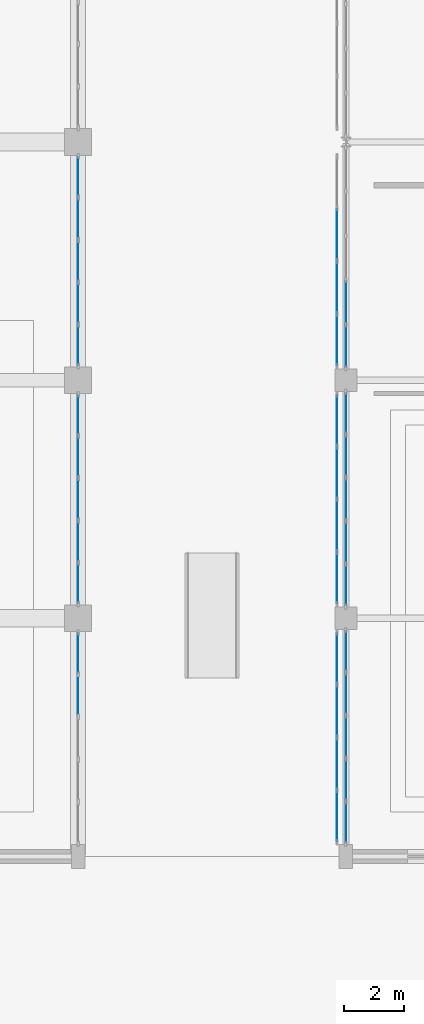
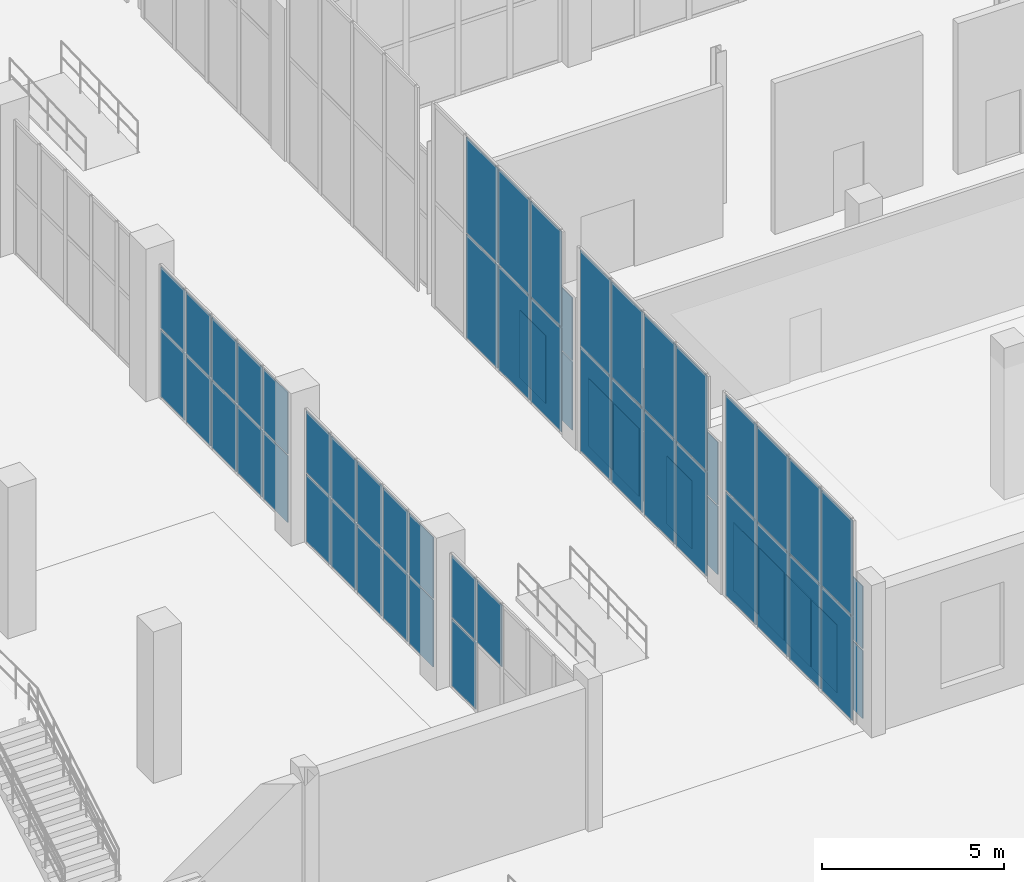
# One storey, part 66 of 103: 69 plates, 9 elements without a shape of their own.
"""IFC4 building model written with IfcOpenShell, lengths in metres."""

import ifcopenshell
import ifcopenshell.guid

model = None  # the IFC model being written
_history = None  # IfcOwnerHistory: only IFC2X3 demands one
_inside = {}  # id of a spatial element -> (the spatial element, [elements in it])
_under = {}  # id of a project, library or spatial element -> (it, [spatial elements below it])
_declared = {}  # id of a project -> (the project, [libraries it declares])
_typed = {}  # id of a type object -> (the type object, [elements of that type])
_made_of = {}  # id of a material, layer set ... -> (it, [elements and type objects made of it])


def new_model(schema):
    """Start an empty IFC model of exactly this schema.

    Asked for "IFC4X3", IfcOpenShell would pick the latest addendum, in which some entities
    have other attributes; the version numbers below select the first issue.
    IFC2X3 requires an IfcOwnerHistory on every rooted entity: one is made here for all.
    """
    global model, _history
    if schema == "IFC4X3":
        model = ifcopenshell.file(schema_version=(4, 3, 0, 0))
    else:
        model = ifcopenshell.file(schema=schema)
    _inside.clear()
    _under.clear()
    _declared.clear()
    _typed.clear()
    _made_of.clear()
    _history = None
    if model.schema == "IFC2X3":
        org = make("IfcOrganization", Name="unknown")
        user = make(
            "IfcPersonAndOrganization",
            ThePerson=make("IfcPerson", FamilyName="unknown"),
            TheOrganization=org,
        )
        app = make(
            "IfcApplication",
            ApplicationDeveloper=org,
            Version="unknown",
            ApplicationFullName="unknown",
            ApplicationIdentifier="unknown",
        )
        _history = make(
            "IfcOwnerHistory",
            OwningUser=user,
            OwningApplication=app,
            ChangeAction="ADDED",
            CreationDate=0,
        )
    return model


def make(cls, **values):
    """One entity of the class cls with the attributes given. An attribute that is None is left unset."""
    return model.create_entity(
        cls, **{name: value for name, value in values.items() if value is not None}
    )


def rooted(cls, **values):
    """An entity with a GlobalId (a new one), such as an element, a storey or a relation."""
    return make(cls, GlobalId=ifcopenshell.guid.new(), OwnerHistory=_history, **values)


def si_unit(unit_type, name, prefix=None):
    """IfcSIUnit, for example si_unit("LENGTHUNIT", "METRE", prefix="MILLI")."""
    return make("IfcSIUnit", UnitType=unit_type, Prefix=prefix, Name=name)


def assignment(units):
    """IfcUnitAssignment: the units of a project."""
    return None if units is None else make("IfcUnitAssignment", Units=units)


def point(xyz):
    """IfcCartesianPoint."""
    return None if xyz is None else make("IfcCartesianPoint", Coordinates=xyz)


def direction(xyz):
    """IfcDirection."""
    return None if xyz is None else make("IfcDirection", DirectionRatios=xyz)


def frame(location, z_axis=None, x_axis=None):
    """IfcAxis2Placement3D, a coordinate frame: its origin and axes. An axis left out is left unset."""
    return make(
        "IfcAxis2Placement3D",
        Location=point(location),
        Axis=direction(z_axis),
        RefDirection=direction(x_axis),
    )


def frame_2d(location, x_axis=None):
    """IfcAxis2Placement2D, a coordinate frame in the plane: its origin and x axis."""
    return make(
        "IfcAxis2Placement2D", Location=point(location), RefDirection=direction(x_axis)
    )


def origin():
    """The frame at (0, 0, 0) with its axes left unset."""
    return frame((0.0, 0.0, 0.0))


def origin_2d():
    """The frame at (0, 0) in the plane with its x axis left unset."""
    return frame_2d((0.0, 0.0))


def place(relative_to, where):
    """IfcLocalPlacement: puts the frame where relative to a parent placement (None: the world)."""
    return make(
        "IfcLocalPlacement", PlacementRelTo=relative_to, RelativePlacement=where
    )


def context(
    kind, dimensions, precision=None, world=None, true_north=None, identifier=None
):
    """IfcGeometricRepresentationContext, for example the 3D "Model" context."""
    return make(
        "IfcGeometricRepresentationContext",
        ContextIdentifier=identifier,
        ContextType=kind,
        CoordinateSpaceDimension=dimensions,
        Precision=precision,
        WorldCoordinateSystem=world,
        TrueNorth=true_north,
    )


def subcontext(parent, identifier, kind, view, scale=None):
    """IfcGeometricRepresentationSubContext, for example "Body" below "Model"."""
    return make(
        "IfcGeometricRepresentationSubContext",
        ContextIdentifier=identifier,
        ContextType=kind,
        ParentContext=parent,
        TargetScale=scale,
        TargetView=view,
    )


def project(units=None, contexts=None):
    """IfcProject with its units and contexts."""
    return rooted(
        "IfcProject",
        Name="project",
        RepresentationContexts=contexts,
        UnitsInContext=assignment(units),
    )


def spatial(cls, under=None, at=None, **own):
    """A site, building, storey or space (cls), placed at a placement, below another one or the project."""
    s = rooted(cls, ObjectPlacement=at, **own)
    if under is not None:
        _under.setdefault(under.id(), (under, []))[1].append(s)
    return s


def profile(cls, at=None, kind="AREA", **sizes):
    """A parametric profile (cls). Its sizes go by their IFC names, for example OverallWidth=200.0."""
    return make(cls, ProfileType=kind, Position=at, **sizes)


def rectangle(**sizes):
    """IfcRectangleProfileDef."""
    return profile("IfcRectangleProfileDef", **sizes)


def extrude(swept, where, along, depth):
    """IfcExtrudedAreaSolid: the profile swept, set in the frame where, extruded along a direction by depth."""
    return make(
        "IfcExtrudedAreaSolid",
        SweptArea=swept,
        Position=where,
        ExtrudedDirection=direction(along),
        Depth=depth,
    )


def shape(context_of_items, identifier, shape_type, items):
    """IfcShapeRepresentation: the items that make up one representation, for example the "Body"."""
    return make(
        "IfcShapeRepresentation",
        ContextOfItems=context_of_items,
        RepresentationIdentifier=identifier,
        RepresentationType=shape_type,
        Items=items,
    )


def material(Name=None, Category=None):
    """IfcMaterial."""
    return make("IfcMaterial", Name=Name, Category=Category)


def layer(
    of_material, thickness, ventilated=None, Name=None, Category=None, Priority=None
):
    """IfcMaterialLayer: one layer of a wall or slab, of a material (None: an air gap)."""
    return make(
        "IfcMaterialLayer",
        Material=of_material,
        LayerThickness=thickness,
        IsVentilated=ventilated,
        Name=Name,
        Category=Category,
        Priority=Priority,
    )


def layer_set(layers, Name=None):
    """IfcMaterialLayerSet."""
    return make("IfcMaterialLayerSet", MaterialLayers=layers, LayerSetName=Name)


def made_of(thing, what):
    """Note that an element or type object is made of a material, layer set ...; save() writes the relation."""
    if what is not None:
        _made_of.setdefault(what.id(), (what, []))[1].append(thing)
    return thing


def type_object(cls, material=None, **own):
    """A type object (cls), such as IfcWallType, which elements share."""
    return made_of(rooted(cls, **own), material)


def element(
    cls,
    number,
    at=None,
    inside=None,
    cuts=None,
    type_object=None,
    material=None,
    context=None,
    identifier="Body",
    shape_type=None,
    held_by="IfcProductDefinitionShape",
    body=None,
    shapes=None,
    **own,
):
    """One element of the class cls, such as IfcWall. Its Tag is "e" and its number.

    at: its placement. inside: the storey or other place that contains it. cuts: it is an
    opening in that element (IfcRelVoidsElement). A single representation is given by context,
    identifier, shape_type and body (its items); several are given by shapes. held_by: the class
    of the entity that holds the representations. save() writes the other relations.
    """
    e = rooted(cls, Tag="e%d" % number, ObjectPlacement=at, **own)
    if body is not None:
        shapes = [shape(context, identifier, shape_type, body)]
    if shapes is not None:
        e.Representation = make(held_by, Representations=shapes)
    if inside is not None:
        _inside.setdefault(inside.id(), (inside, []))[1].append(e)
    if cuts is not None:
        rooted(
            "IfcRelVoidsElement", RelatingBuildingElement=cuts, RelatedOpeningElement=e
        )
    if type_object is not None:
        _typed.setdefault(type_object.id(), (type_object, []))[1].append(e)
    return made_of(e, material)


def aggregate(whole, parts):
    """IfcRelAggregates: a whole, such as a stair, and the parts it consists of."""
    return rooted("IfcRelAggregates", RelatingObject=whole, RelatedObjects=parts)


def save(model, path):
    """Write the relations noted so far, then the file.

    IfcRelAggregates (storeys below a building ...), IfcRelContainedInSpatialStructure (elements
    in a storey), IfcRelDefinesByType, IfcRelAssociatesMaterial and IfcRelDeclares: one each for
    every whole, place, type object, material and project.
    """
    for whole, parts in _under.values():
        aggregate(whole, parts)
    for where, things in _inside.values():
        rooted(
            "IfcRelContainedInSpatialStructure",
            RelatedElements=things,
            RelatingStructure=where,
        )
    for kind, things in _typed.values():
        rooted("IfcRelDefinesByType", RelatedObjects=things, RelatingType=kind)
    for what, things in _made_of.values():
        rooted("IfcRelAssociatesMaterial", RelatedObjects=things, RelatingMaterial=what)
    for by, libraries in _declared.values():
        rooted("IfcRelDeclares", RelatingContext=by, RelatedDefinitions=libraries)
    model.write(path)


model = new_model("IFC4")

# Units and contexts
model_context = context("Model", 3, precision=1e-05, world=origin(), true_north=direction((0.0, 1.0)))
body_context = subcontext(model_context, "Body", "Model", "MODEL_VIEW")
ifc_project = project(units=[si_unit("LENGTHUNIT", "METRE"), si_unit("AREAUNIT", "SQUARE_METRE"), si_unit("VOLUMEUNIT", "CUBIC_METRE"), si_unit("PLANEANGLEUNIT", "RADIAN"), si_unit("MASSUNIT", "GRAM", prefix="KILO")], contexts=[model_context])

# Site, building, storey
site_placement = place(None, origin())
site = spatial("IfcSite", under=ifc_project, at=site_placement, CompositionType="ELEMENT")
building_placement = place(site_placement, origin())
building = spatial("IfcBuilding", under=site, at=building_placement, Name="Marnock Terrace Opera House", CompositionType="ELEMENT")
storey_placement = place(building_placement, origin())
storey = spatial("IfcBuildingStorey", under=building, at=storey_placement, Name="L00", CompositionType="ELEMENT", Elevation=0.0)

# Curtain wall, plates
ifc_material_1 = material(Name="Anodised architectural bronze aluminium framing", Category="aluminium")
ifc_layer_1 = layer(ifc_material_1, 0.159912109375)
ifc_layer_set_1 = layer_set([ifc_layer_1], Name="Anodised architectural bronze aluminium framing")
curtain_wall_type_1 = type_object("IfcCurtainWallType", Name="CW-FOYER-80x51", PredefinedType="NOTDEFINED", material=ifc_layer_set_1)
curtain_wall_1_placement = place(storey_placement, origin())
curtain_wall_1 = element("IfcCurtainWall", 1, at=curtain_wall_1_placement, inside=storey, type_object=curtain_wall_type_1, Name="L00 glazed Beaux-Arts colonnade curtain wall CW-V1E-L00-01", PredefinedType="NOTDEFINED")
ifc_material_2 = material(Name="Double-glazed acoustic low-E laminated glass", Category="glass")
ifc_layer_2 = layer(ifc_material_2, 0.028076171875)
ifc_layer_set_2 = layer_set([ifc_layer_2], Name="Double-glazed acoustic low-E laminated glass")
plate_type = type_object("IfcPlateType", Name="CWP-GLZ-28", PredefinedType="CURTAIN_PANEL", material=ifc_layer_set_2)
plate_1_placement = place(storey_placement, frame((109.0, 13.406494140625, 2.36376953125), z_axis=(0.0, 0.0, 1.0), x_axis=(0.0, 1.0, 0.0)))
plate_1 = element("IfcPlate", 2, at=plate_1_placement, type_object=plate_type, Name="CW-73 panel 4.2", PredefinedType="CURTAIN_PANEL", context=body_context, shape_type="SweptSolid", body=[
    extrude(rectangle(XDim=1.37158203125, YDim=0.028076171875, at=origin_2d()), origin(), (0.0, 0.0, 1.0), 2.064208984375),
])
plate_2_placement = place(storey_placement, frame((109.0, 14.8232421875, 0.06005859375), z_axis=(0.0, 0.0, 1.0), x_axis=(0.0, 1.0, 0.0)))
plate_2 = element("IfcPlate", 3, at=plate_2_placement, type_object=plate_type, Name="CW-73 panel 5.1", PredefinedType="CURTAIN_PANEL", context=body_context, shape_type="SweptSolid", body=[
    extrude(rectangle(XDim=1.341552734375, YDim=0.028076171875, at=origin_2d()), origin(), (0.0, 0.0, 1.0), 2.243896484375),
])
plate_3_placement = place(storey_placement, frame((109.0, 14.8232421875, 2.36376953125), z_axis=(0.0, 0.0, 1.0), x_axis=(0.0, 1.0, 0.0)))
plate_3 = element("IfcPlate", 4, at=plate_3_placement, type_object=plate_type, Name="CW-73 panel 5.2", PredefinedType="CURTAIN_PANEL", context=body_context, shape_type="SweptSolid", body=[
    extrude(rectangle(XDim=1.341552734375, YDim=0.028076171875, at=origin_2d()), origin(), (0.0, 0.0, 1.0), 2.064208984375),
])
aggregate(curtain_wall_1, [plate_1, plate_2, plate_3])

curtain_wall_2_placement = place(storey_placement, origin())
curtain_wall_2 = element("IfcCurtainWall", 5, at=curtain_wall_2_placement, inside=storey, type_object=curtain_wall_type_1, Name="L00 glazed Beaux-Arts colonnade curtain wall CW-V1E-L00-02", PredefinedType="NOTDEFINED")
plate_4_placement = place(storey_placement, frame((109.0, 17.171875, 0.06005859375), z_axis=(0.0, 0.0, 1.0), x_axis=(0.0, 1.0, 0.0)))
plate_4 = element("IfcPlate", 6, at=plate_4_placement, type_object=plate_type, Name="CW-73 panel 1.1", PredefinedType="CURTAIN_PANEL", context=body_context, shape_type="SweptSolid", body=[
    extrude(rectangle(XDim=1.33154296875, YDim=0.028076171875, at=origin_2d()), origin(), (0.0, 0.0, 1.0), 2.243896484375),
])
plate_5_placement = place(storey_placement, frame((109.0, 17.171875, 2.36376953125), z_axis=(0.0, 0.0, 1.0), x_axis=(0.0, 1.0, 0.0)))
plate_5 = element("IfcPlate", 7, at=plate_5_placement, type_object=plate_type, Name="CW-73 panel 1.2", PredefinedType="CURTAIN_PANEL", context=body_context, shape_type="SweptSolid", body=[
    extrude(rectangle(XDim=1.33154296875, YDim=0.028076171875, at=origin_2d()), origin(), (0.0, 0.0, 1.0), 2.064208984375),
])
plate_6_placement = place(storey_placement, frame((109.0, 18.578369140625, 0.06005859375), z_axis=(0.0, 0.0, 1.0), x_axis=(0.0, 1.0, 0.0)))
plate_6 = element("IfcPlate", 8, at=plate_6_placement, type_object=plate_type, Name="CW-73 panel 2.1", PredefinedType="CURTAIN_PANEL", context=body_context, shape_type="SweptSolid", body=[
    extrude(rectangle(XDim=1.361572265625, YDim=0.028076171875, at=origin_2d()), origin(), (0.0, 0.0, 1.0), 2.243896484375),
])
plate_7_placement = place(storey_placement, frame((109.0, 18.578369140625, 2.36376953125), z_axis=(0.0, 0.0, 1.0), x_axis=(0.0, 1.0, 0.0)))
plate_7 = element("IfcPlate", 9, at=plate_7_placement, type_object=plate_type, Name="CW-73 panel 2.2", PredefinedType="CURTAIN_PANEL", context=body_context, shape_type="SweptSolid", body=[
    extrude(rectangle(XDim=1.361572265625, YDim=0.028076171875, at=origin_2d()), origin(), (0.0, 0.0, 1.0), 2.064208984375),
])
plate_8_placement = place(storey_placement, frame((109.0, 20.0, 0.06005859375), z_axis=(0.0, 0.0, 1.0), x_axis=(0.0, 1.0, 0.0)))
plate_8 = element("IfcPlate", 10, at=plate_8_placement, type_object=plate_type, Name="CW-73 panel 3.1", PredefinedType="CURTAIN_PANEL", context=body_context, shape_type="SweptSolid", body=[
    extrude(rectangle(XDim=1.361572265625, YDim=0.028076171875, at=origin_2d()), origin(), (0.0, 0.0, 1.0), 2.243896484375),
])
plate_9_placement = place(storey_placement, frame((109.0, 20.0, 2.36376953125), z_axis=(0.0, 0.0, 1.0), x_axis=(0.0, 1.0, 0.0)))
plate_9 = element("IfcPlate", 11, at=plate_9_placement, type_object=plate_type, Name="CW-73 panel 3.2", PredefinedType="CURTAIN_PANEL", context=body_context, shape_type="SweptSolid", body=[
    extrude(rectangle(XDim=1.361572265625, YDim=0.028076171875, at=origin_2d()), origin(), (0.0, 0.0, 1.0), 2.064208984375),
])
plate_10_placement = place(storey_placement, frame((109.0, 21.421630859375, 0.06005859375), z_axis=(0.0, 0.0, 1.0), x_axis=(0.0, 1.0, 0.0)))
plate_10 = element("IfcPlate", 12, at=plate_10_placement, type_object=plate_type, Name="CW-73 panel 4.1", PredefinedType="CURTAIN_PANEL", context=body_context, shape_type="SweptSolid", body=[
    extrude(rectangle(XDim=1.361572265625, YDim=0.028076171875, at=origin_2d()), origin(), (0.0, 0.0, 1.0), 2.243896484375),
])
plate_11_placement = place(storey_placement, frame((109.0, 21.421630859375, 2.36376953125), z_axis=(0.0, 0.0, 1.0), x_axis=(0.0, 1.0, 0.0)))
plate_11 = element("IfcPlate", 13, at=plate_11_placement, type_object=plate_type, Name="CW-73 panel 4.2", PredefinedType="CURTAIN_PANEL", context=body_context, shape_type="SweptSolid", body=[
    extrude(rectangle(XDim=1.361572265625, YDim=0.028076171875, at=origin_2d()), origin(), (0.0, 0.0, 1.0), 2.064208984375),
])
plate_12_placement = place(storey_placement, frame((109.0, 22.828125, 0.06005859375), z_axis=(0.0, 0.0, 1.0), x_axis=(0.0, 1.0, 0.0)))
plate_12 = element("IfcPlate", 14, at=plate_12_placement, type_object=plate_type, Name="CW-73 panel 5.1", PredefinedType="CURTAIN_PANEL", context=body_context, shape_type="SweptSolid", body=[
    extrude(rectangle(XDim=1.33154296875, YDim=0.028076171875, at=origin_2d()), origin(), (0.0, 0.0, 1.0), 2.243896484375),
])
plate_13_placement = place(storey_placement, frame((109.0, 22.828125, 2.36376953125), z_axis=(0.0, 0.0, 1.0), x_axis=(0.0, 1.0, 0.0)))
plate_13 = element("IfcPlate", 15, at=plate_13_placement, type_object=plate_type, Name="CW-73 panel 5.2", PredefinedType="CURTAIN_PANEL", context=body_context, shape_type="SweptSolid", body=[
    extrude(rectangle(XDim=1.33154296875, YDim=0.028076171875, at=origin_2d()), origin(), (0.0, 0.0, 1.0), 2.064208984375),
])
aggregate(curtain_wall_2, [plate_4, plate_5, plate_6, plate_7, plate_8, plate_9, plate_10, plate_11, plate_12, plate_13])

curtain_wall_3_placement = place(storey_placement, origin())
curtain_wall_3 = element("IfcCurtainWall", 16, at=curtain_wall_3_placement, inside=storey, type_object=curtain_wall_type_1, Name="L00 glazed Beaux-Arts colonnade curtain wall CW-V1E-L00-03", PredefinedType="NOTDEFINED")
plate_14_placement = place(storey_placement, frame((109.0, 25.171875, 0.06005859375), z_axis=(0.0, 0.0, 1.0), x_axis=(0.0, 1.0, 0.0)))
plate_14 = element("IfcPlate", 17, at=plate_14_placement, type_object=plate_type, Name="CW-73 panel 1.1", PredefinedType="CURTAIN_PANEL", context=body_context, shape_type="SweptSolid", body=[
    extrude(rectangle(XDim=1.33154296875, YDim=0.028076171875, at=origin_2d()), origin(), (0.0, 0.0, 1.0), 2.243896484375),
])
plate_15_placement = place(storey_placement, frame((109.0, 25.171875, 2.36376953125), z_axis=(0.0, 0.0, 1.0), x_axis=(0.0, 1.0, 0.0)))
plate_15 = element("IfcPlate", 18, at=plate_15_placement, type_object=plate_type, Name="CW-73 panel 1.2", PredefinedType="CURTAIN_PANEL", context=body_context, shape_type="SweptSolid", body=[
    extrude(rectangle(XDim=1.33154296875, YDim=0.028076171875, at=origin_2d()), origin(), (0.0, 0.0, 1.0), 2.064208984375),
])
plate_16_placement = place(storey_placement, frame((109.0, 26.578369140625, 0.06005859375), z_axis=(0.0, 0.0, 1.0), x_axis=(0.0, 1.0, 0.0)))
plate_16 = element("IfcPlate", 19, at=plate_16_placement, type_object=plate_type, Name="CW-73 panel 2.1", PredefinedType="CURTAIN_PANEL", context=body_context, shape_type="SweptSolid", body=[
    extrude(rectangle(XDim=1.361572265625, YDim=0.028076171875, at=origin_2d()), origin(), (0.0, 0.0, 1.0), 2.243896484375),
])
plate_17_placement = place(storey_placement, frame((109.0, 26.578369140625, 2.36376953125), z_axis=(0.0, 0.0, 1.0), x_axis=(0.0, 1.0, 0.0)))
plate_17 = element("IfcPlate", 20, at=plate_17_placement, type_object=plate_type, Name="CW-73 panel 2.2", PredefinedType="CURTAIN_PANEL", context=body_context, shape_type="SweptSolid", body=[
    extrude(rectangle(XDim=1.361572265625, YDim=0.028076171875, at=origin_2d()), origin(), (0.0, 0.0, 1.0), 2.064208984375),
])
plate_18_placement = place(storey_placement, frame((109.0, 28.0, 0.06005859375), z_axis=(0.0, 0.0, 1.0), x_axis=(0.0, 1.0, 0.0)))
plate_18 = element("IfcPlate", 21, at=plate_18_placement, type_object=plate_type, Name="CW-73 panel 3.1", PredefinedType="CURTAIN_PANEL", context=body_context, shape_type="SweptSolid", body=[
    extrude(rectangle(XDim=1.361572265625, YDim=0.028076171875, at=origin_2d()), origin(), (0.0, 0.0, 1.0), 2.243896484375),
])
plate_19_placement = place(storey_placement, frame((109.0, 28.0, 2.36376953125), z_axis=(0.0, 0.0, 1.0), x_axis=(0.0, 1.0, 0.0)))
plate_19 = element("IfcPlate", 22, at=plate_19_placement, type_object=plate_type, Name="CW-73 panel 3.2", PredefinedType="CURTAIN_PANEL", context=body_context, shape_type="SweptSolid", body=[
    extrude(rectangle(XDim=1.361572265625, YDim=0.028076171875, at=origin_2d()), origin(), (0.0, 0.0, 1.0), 2.064208984375),
])
plate_20_placement = place(storey_placement, frame((109.0, 29.421630859375, 0.06005859375), z_axis=(0.0, 0.0, 1.0), x_axis=(0.0, 1.0, 0.0)))
plate_20 = element("IfcPlate", 23, at=plate_20_placement, type_object=plate_type, Name="CW-73 panel 4.1", PredefinedType="CURTAIN_PANEL", context=body_context, shape_type="SweptSolid", body=[
    extrude(rectangle(XDim=1.361572265625, YDim=0.028076171875, at=origin_2d()), origin(), (0.0, 0.0, 1.0), 2.243896484375),
])
plate_21_placement = place(storey_placement, frame((109.0, 29.421630859375, 2.36376953125), z_axis=(0.0, 0.0, 1.0), x_axis=(0.0, 1.0, 0.0)))
plate_21 = element("IfcPlate", 24, at=plate_21_placement, type_object=plate_type, Name="CW-73 panel 4.2", PredefinedType="CURTAIN_PANEL", context=body_context, shape_type="SweptSolid", body=[
    extrude(rectangle(XDim=1.361572265625, YDim=0.028076171875, at=origin_2d()), origin(), (0.0, 0.0, 1.0), 2.064208984375),
])
plate_22_placement = place(storey_placement, frame((109.0, 30.828125, 0.06005859375), z_axis=(0.0, 0.0, 1.0), x_axis=(0.0, 1.0, 0.0)))
plate_22 = element("IfcPlate", 25, at=plate_22_placement, type_object=plate_type, Name="CW-73 panel 5.1", PredefinedType="CURTAIN_PANEL", context=body_context, shape_type="SweptSolid", body=[
    extrude(rectangle(XDim=1.33154296875, YDim=0.028076171875, at=origin_2d()), origin(), (0.0, 0.0, 1.0), 2.243896484375),
])
plate_23_placement = place(storey_placement, frame((109.0, 30.828125, 2.36376953125), z_axis=(0.0, 0.0, 1.0), x_axis=(0.0, 1.0, 0.0)))
plate_23 = element("IfcPlate", 26, at=plate_23_placement, type_object=plate_type, Name="CW-73 panel 5.2", PredefinedType="CURTAIN_PANEL", context=body_context, shape_type="SweptSolid", body=[
    extrude(rectangle(XDim=1.33154296875, YDim=0.028076171875, at=origin_2d()), origin(), (0.0, 0.0, 1.0), 2.064208984375),
])
aggregate(curtain_wall_3, [plate_14, plate_15, plate_16, plate_17, plate_18, plate_19, plate_20, plate_21, plate_22, plate_23])

ifc_layer_3 = layer(ifc_material_1, 0.159912109375)
ifc_layer_set_3 = layer_set([ifc_layer_3], Name="Anodised architectural bronze aluminium framing")
curtain_wall_type_2 = type_object("IfcCurtainWallType", Name="CW-LOGGIA-86x51", PredefinedType="NOTDEFINED", material=ifc_layer_set_3)
curtain_wall_4_placement = place(storey_placement, origin())
curtain_wall_4 = element("IfcCurtainWall", 27, at=curtain_wall_4_placement, inside=storey, type_object=curtain_wall_type_2, Name="L00 glazed Beaux-Arts colonnade curtain wall CW-V5-L00-W1", PredefinedType="NOTDEFINED")
plate_24_placement = place(storey_placement, frame((118.0, 9.13427734375, 0.06005859375), z_axis=(0.0, 0.0, 1.0), x_axis=(0.0, 1.0, 0.0)))
plate_24 = element("IfcPlate", 28, at=plate_24_placement, type_object=plate_type, Name="CW-96 panel 1.1", PredefinedType="CURTAIN_PANEL", context=body_context, shape_type="SweptSolid", body=[
    extrude(rectangle(XDim=1.356689453125, YDim=0.028076171875, at=origin_2d()), origin(), (0.0, 0.0, 1.0), 2.2822265625),
])
plate_25_placement = place(storey_placement, frame((118.0, 9.13427734375, 2.40234375), z_axis=(0.0, 0.0, 1.0), x_axis=(0.0, 1.0, 0.0)))
plate_25 = element("IfcPlate", 29, at=plate_25_placement, type_object=plate_type, Name="CW-96 panel 1.2", PredefinedType="CURTAIN_PANEL", context=body_context, shape_type="SweptSolid", body=[
    extrude(rectangle(XDim=1.356689453125, YDim=0.028076171875, at=origin_2d()), origin(), (0.0, 0.0, 1.0), 2.099853515625),
])
plate_26_placement = place(storey_placement, frame((118.0, 10.56591796875, 0.06005859375), z_axis=(0.0, 0.0, 1.0), x_axis=(0.0, 1.0, 0.0)))
plate_26 = element("IfcPlate", 30, at=plate_26_placement, type_object=plate_type, Name="CW-96 panel 2.1", PredefinedType="CURTAIN_PANEL", context=body_context, shape_type="SweptSolid", body=[
    extrude(rectangle(XDim=1.38671875, YDim=0.028076171875, at=origin_2d()), origin(), (0.0, 0.0, 1.0), 2.2822265625),
])
plate_27_placement = place(storey_placement, frame((118.0, 10.56591796875, 2.40234375), z_axis=(0.0, 0.0, 1.0), x_axis=(0.0, 1.0, 0.0)))
plate_27 = element("IfcPlate", 31, at=plate_27_placement, type_object=plate_type, Name="CW-96 panel 2.2", PredefinedType="CURTAIN_PANEL", context=body_context, shape_type="SweptSolid", body=[
    extrude(rectangle(XDim=1.38671875, YDim=0.028076171875, at=origin_2d()), origin(), (0.0, 0.0, 1.0), 2.099853515625),
])
plate_28_placement = place(storey_placement, frame((118.0, 12.012451171875, 0.06005859375), z_axis=(0.0, 0.0, 1.0), x_axis=(0.0, 1.0, 0.0)))
plate_28 = element("IfcPlate", 32, at=plate_28_placement, type_object=plate_type, Name="CW-96 panel 3.1", PredefinedType="CURTAIN_PANEL", context=body_context, shape_type="SweptSolid", body=[
    extrude(rectangle(XDim=1.38671875, YDim=0.028076171875, at=origin_2d()), origin(), (0.0, 0.0, 1.0), 2.2822265625),
])
plate_29_placement = place(storey_placement, frame((118.0, 12.012451171875, 2.40234375), z_axis=(0.0, 0.0, 1.0), x_axis=(0.0, 1.0, 0.0)))
plate_29 = element("IfcPlate", 33, at=plate_29_placement, type_object=plate_type, Name="CW-96 panel 3.2", PredefinedType="CURTAIN_PANEL", context=body_context, shape_type="SweptSolid", body=[
    extrude(rectangle(XDim=1.38671875, YDim=0.028076171875, at=origin_2d()), origin(), (0.0, 0.0, 1.0), 2.099853515625),
])
plate_30_placement = place(storey_placement, frame((118.0, 13.458984375, 0.06005859375), z_axis=(0.0, 0.0, 1.0), x_axis=(0.0, 1.0, 0.0)))
plate_30 = element("IfcPlate", 34, at=plate_30_placement, type_object=plate_type, Name="CW-96 panel 4.1", PredefinedType="CURTAIN_PANEL", context=body_context, shape_type="SweptSolid", body=[
    extrude(rectangle(XDim=1.38671875, YDim=0.028076171875, at=origin_2d()), origin(), (0.0, 0.0, 1.0), 2.2822265625),
])
plate_31_placement = place(storey_placement, frame((118.0, 13.458984375, 2.40234375), z_axis=(0.0, 0.0, 1.0), x_axis=(0.0, 1.0, 0.0)))
plate_31 = element("IfcPlate", 35, at=plate_31_placement, type_object=plate_type, Name="CW-96 panel 4.2", PredefinedType="CURTAIN_PANEL", context=body_context, shape_type="SweptSolid", body=[
    extrude(rectangle(XDim=1.38671875, YDim=0.028076171875, at=origin_2d()), origin(), (0.0, 0.0, 1.0), 2.099853515625),
])
plate_32_placement = place(storey_placement, frame((118.0, 14.890625, 0.06005859375), z_axis=(0.0, 0.0, 1.0), x_axis=(0.0, 1.0, 0.0)))
plate_32 = element("IfcPlate", 36, at=plate_32_placement, type_object=plate_type, Name="CW-96 panel 5.1", PredefinedType="CURTAIN_PANEL", context=body_context, shape_type="SweptSolid", body=[
    extrude(rectangle(XDim=1.356689453125, YDim=0.028076171875, at=origin_2d()), origin(), (0.0, 0.0, 1.0), 2.2822265625),
])
plate_33_placement = place(storey_placement, frame((118.0, 14.890625, 2.40234375), z_axis=(0.0, 0.0, 1.0), x_axis=(0.0, 1.0, 0.0)))
plate_33 = element("IfcPlate", 37, at=plate_33_placement, type_object=plate_type, Name="CW-96 panel 5.2", PredefinedType="CURTAIN_PANEL", context=body_context, shape_type="SweptSolid", body=[
    extrude(rectangle(XDim=1.356689453125, YDim=0.028076171875, at=origin_2d()), origin(), (0.0, 0.0, 1.0), 2.099853515625),
])
aggregate(curtain_wall_4, [plate_24, plate_25, plate_26, plate_27, plate_28, plate_29, plate_30, plate_31, plate_32, plate_33])

curtain_wall_5_placement = place(storey_placement, origin())
curtain_wall_5 = element("IfcCurtainWall", 38, at=curtain_wall_5_placement, inside=storey, type_object=curtain_wall_type_2, Name="L00 glazed Beaux-Arts colonnade curtain wall CW-V5-L00-W2", PredefinedType="NOTDEFINED")
plate_34_placement = place(storey_placement, frame((118.0, 17.11181640625, 0.06005859375), z_axis=(0.0, 0.0, 1.0), x_axis=(0.0, 1.0, 0.0)))
plate_34 = element("IfcPlate", 39, at=plate_34_placement, type_object=plate_type, Name="CW-96 panel 1.1", PredefinedType="CURTAIN_PANEL", context=body_context, shape_type="SweptSolid", body=[
    extrude(rectangle(XDim=1.361572265625, YDim=0.028076171875, at=origin_2d()), origin(), (0.0, 0.0, 1.0), 2.2822265625),
])
plate_35_placement = place(storey_placement, frame((118.0, 17.11181640625, 2.40234375), z_axis=(0.0, 0.0, 1.0), x_axis=(0.0, 1.0, 0.0)))
plate_35 = element("IfcPlate", 40, at=plate_35_placement, type_object=plate_type, Name="CW-96 panel 1.2", PredefinedType="CURTAIN_PANEL", context=body_context, shape_type="SweptSolid", body=[
    extrude(rectangle(XDim=1.361572265625, YDim=0.028076171875, at=origin_2d()), origin(), (0.0, 0.0, 1.0), 2.099853515625),
])
plate_36_placement = place(storey_placement, frame((118.0, 18.54833984375, 0.06005859375), z_axis=(0.0, 0.0, 1.0), x_axis=(0.0, 1.0, 0.0)))
plate_36 = element("IfcPlate", 41, at=plate_36_placement, type_object=plate_type, Name="CW-96 panel 2.1", PredefinedType="CURTAIN_PANEL", context=body_context, shape_type="SweptSolid", body=[
    extrude(rectangle(XDim=1.3916015625, YDim=0.028076171875, at=origin_2d()), origin(), (0.0, 0.0, 1.0), 2.2822265625),
])
plate_37_placement = place(storey_placement, frame((118.0, 18.54833984375, 2.40234375), z_axis=(0.0, 0.0, 1.0), x_axis=(0.0, 1.0, 0.0)))
plate_37 = element("IfcPlate", 42, at=plate_37_placement, type_object=plate_type, Name="CW-96 panel 2.2", PredefinedType="CURTAIN_PANEL", context=body_context, shape_type="SweptSolid", body=[
    extrude(rectangle(XDim=1.3916015625, YDim=0.028076171875, at=origin_2d()), origin(), (0.0, 0.0, 1.0), 2.099853515625),
])
plate_38_placement = place(storey_placement, frame((118.0, 20.0, 0.06005859375), z_axis=(0.0, 0.0, 1.0), x_axis=(0.0, 1.0, 0.0)))
plate_38 = element("IfcPlate", 43, at=plate_38_placement, type_object=plate_type, Name="CW-96 panel 3.1", PredefinedType="CURTAIN_PANEL", context=body_context, shape_type="SweptSolid", body=[
    extrude(rectangle(XDim=1.3916015625, YDim=0.028076171875, at=origin_2d()), origin(), (0.0, 0.0, 1.0), 2.2822265625),
])
plate_39_placement = place(storey_placement, frame((118.0, 20.0, 2.40234375), z_axis=(0.0, 0.0, 1.0), x_axis=(0.0, 1.0, 0.0)))
plate_39 = element("IfcPlate", 44, at=plate_39_placement, type_object=plate_type, Name="CW-96 panel 3.2", PredefinedType="CURTAIN_PANEL", context=body_context, shape_type="SweptSolid", body=[
    extrude(rectangle(XDim=1.3916015625, YDim=0.028076171875, at=origin_2d()), origin(), (0.0, 0.0, 1.0), 2.099853515625),
])
plate_40_placement = place(storey_placement, frame((118.0, 21.45166015625, 0.06005859375), z_axis=(0.0, 0.0, 1.0), x_axis=(0.0, 1.0, 0.0)))
plate_40 = element("IfcPlate", 45, at=plate_40_placement, type_object=plate_type, Name="CW-96 panel 4.1", PredefinedType="CURTAIN_PANEL", context=body_context, shape_type="SweptSolid", body=[
    extrude(rectangle(XDim=1.3916015625, YDim=0.028076171875, at=origin_2d()), origin(), (0.0, 0.0, 1.0), 2.2822265625),
])
plate_41_placement = place(storey_placement, frame((118.0, 21.45166015625, 2.40234375), z_axis=(0.0, 0.0, 1.0), x_axis=(0.0, 1.0, 0.0)))
plate_41 = element("IfcPlate", 46, at=plate_41_placement, type_object=plate_type, Name="CW-96 panel 4.2", PredefinedType="CURTAIN_PANEL", context=body_context, shape_type="SweptSolid", body=[
    extrude(rectangle(XDim=1.3916015625, YDim=0.028076171875, at=origin_2d()), origin(), (0.0, 0.0, 1.0), 2.099853515625),
])
plate_42_placement = place(storey_placement, frame((118.0, 22.88818359375, 0.06005859375), z_axis=(0.0, 0.0, 1.0), x_axis=(0.0, 1.0, 0.0)))
plate_42 = element("IfcPlate", 47, at=plate_42_placement, type_object=plate_type, Name="CW-96 panel 5.1", PredefinedType="CURTAIN_PANEL", context=body_context, shape_type="SweptSolid", body=[
    extrude(rectangle(XDim=1.361572265625, YDim=0.028076171875, at=origin_2d()), origin(), (0.0, 0.0, 1.0), 2.2822265625),
])
plate_43_placement = place(storey_placement, frame((118.0, 22.88818359375, 2.40234375), z_axis=(0.0, 0.0, 1.0), x_axis=(0.0, 1.0, 0.0)))
plate_43 = element("IfcPlate", 48, at=plate_43_placement, type_object=plate_type, Name="CW-96 panel 5.2", PredefinedType="CURTAIN_PANEL", context=body_context, shape_type="SweptSolid", body=[
    extrude(rectangle(XDim=1.361572265625, YDim=0.028076171875, at=origin_2d()), origin(), (0.0, 0.0, 1.0), 2.099853515625),
])
aggregate(curtain_wall_5, [plate_34, plate_35, plate_36, plate_37, plate_38, plate_39, plate_40, plate_41, plate_42, plate_43])

curtain_wall_6_placement = place(storey_placement, origin())
curtain_wall_6 = element("IfcCurtainWall", 49, at=curtain_wall_6_placement, inside=storey, type_object=curtain_wall_type_2, Name="L00 glazed Beaux-Arts colonnade curtain wall CW-V5-L00-W3", PredefinedType="NOTDEFINED")
plate_44_placement = place(storey_placement, frame((118.0, 25.133056640625, 0.06005859375), z_axis=(0.0, 0.0, 1.0), x_axis=(0.0, 1.0, 0.0)))
plate_44 = element("IfcPlate", 50, at=plate_44_placement, type_object=plate_type, Name="CW-96 panel 1.1", PredefinedType="CURTAIN_PANEL", context=body_context, shape_type="SweptSolid", body=[
    extrude(rectangle(XDim=1.40380859375, YDim=0.028076171875, at=origin_2d()), origin(), (0.0, 0.0, 1.0), 2.2822265625),
])
plate_45_placement = place(storey_placement, frame((118.0, 25.133056640625, 2.40234375), z_axis=(0.0, 0.0, 1.0), x_axis=(0.0, 1.0, 0.0)))
plate_45 = element("IfcPlate", 51, at=plate_45_placement, type_object=plate_type, Name="CW-96 panel 1.2", PredefinedType="CURTAIN_PANEL", context=body_context, shape_type="SweptSolid", body=[
    extrude(rectangle(XDim=1.40380859375, YDim=0.028076171875, at=origin_2d()), origin(), (0.0, 0.0, 1.0), 2.099853515625),
])
plate_46_placement = place(storey_placement, frame((118.0, 26.61181640625, 0.06005859375), z_axis=(0.0, 0.0, 1.0), x_axis=(0.0, 1.0, 0.0)))
plate_46 = element("IfcPlate", 52, at=plate_46_placement, type_object=plate_type, Name="CW-96 panel 2.1", PredefinedType="CURTAIN_PANEL", context=body_context, shape_type="SweptSolid", body=[
    extrude(rectangle(XDim=1.433837890625, YDim=0.028076171875, at=origin_2d()), origin(), (0.0, 0.0, 1.0), 2.2822265625),
])
plate_47_placement = place(storey_placement, frame((118.0, 26.61181640625, 2.40234375), z_axis=(0.0, 0.0, 1.0), x_axis=(0.0, 1.0, 0.0)))
plate_47 = element("IfcPlate", 53, at=plate_47_placement, type_object=plate_type, Name="CW-96 panel 2.2", PredefinedType="CURTAIN_PANEL", context=body_context, shape_type="SweptSolid", body=[
    extrude(rectangle(XDim=1.433837890625, YDim=0.028076171875, at=origin_2d()), origin(), (0.0, 0.0, 1.0), 2.099853515625),
])
aggregate(curtain_wall_6, [plate_44, plate_45, plate_46, plate_47])

ifc_layer_4 = layer(ifc_material_1, 0.159912109375)
ifc_layer_set_4 = layer_set([ifc_layer_4], Name="Anodised architectural bronze aluminium framing")
curtain_wall_type_3 = type_object("IfcCurtainWallType", Name="CW-PASSAGE-71x68", PredefinedType="NOTDEFINED", material=ifc_layer_set_4)
curtain_wall_7_placement = place(storey_placement, origin())
curtain_wall_7 = element("IfcCurtainWall", 54, at=curtain_wall_7_placement, inside=storey, type_object=curtain_wall_type_3, Name="L00 glazed Beaux-Arts colonnade curtain wall CW-PASSAGE-L00-01", PredefinedType="NOTDEFINED")
plate_48_placement = place(storey_placement, frame((117.699951171875, 9.3525390625, 0.06005859375), z_axis=(0.0, 0.0, 1.0), x_axis=(0.0, 1.0, 0.0)))
plate_48 = element("IfcPlate", 55, at=plate_48_placement, type_object=plate_type, Name="CW-33 panel 1.1", PredefinedType="CURTAIN_PANEL", context=body_context, shape_type="SweptSolid", body=[
    extrude(rectangle(XDim=1.68505859375, YDim=0.028076171875, at=origin_2d()), origin(), (0.0, 0.0, 1.0), 3.471923828125),
])
plate_49_placement = place(storey_placement, frame((117.699951171875, 9.3525390625, 3.591796875), z_axis=(0.0, 0.0, 1.0), x_axis=(0.0, 1.0, 0.0)))
plate_49 = element("IfcPlate", 56, at=plate_49_placement, type_object=plate_type, Name="CW-33 panel 1.2", PredefinedType="CURTAIN_PANEL", context=body_context, shape_type="SweptSolid", body=[
    extrude(rectangle(XDim=1.68505859375, YDim=0.028076171875, at=origin_2d()), origin(), (0.0, 0.0, 1.0), 3.197998046875),
])
plate_50_placement = place(storey_placement, frame((117.699951171875, 11.112548828125, 0.06005859375), z_axis=(0.0, 0.0, 1.0), x_axis=(0.0, 1.0, 0.0)))
plate_50 = element("IfcPlate", 57, at=plate_50_placement, type_object=plate_type, Name="CW-33 panel 2.1", PredefinedType="CURTAIN_PANEL", context=body_context, shape_type="SweptSolid", body=[
    extrude(rectangle(XDim=1.715087890625, YDim=0.028076171875, at=origin_2d()), origin(), (0.0, 0.0, 1.0), 3.471923828125),
])
plate_51_placement = place(storey_placement, frame((117.699951171875, 11.112548828125, 3.591796875), z_axis=(0.0, 0.0, 1.0), x_axis=(0.0, 1.0, 0.0)))
plate_51 = element("IfcPlate", 58, at=plate_51_placement, type_object=plate_type, Name="CW-33 panel 2.2", PredefinedType="CURTAIN_PANEL", context=body_context, shape_type="SweptSolid", body=[
    extrude(rectangle(XDim=1.715087890625, YDim=0.028076171875, at=origin_2d()), origin(), (0.0, 0.0, 1.0), 3.197998046875),
])
plate_52_placement = place(storey_placement, frame((117.699951171875, 12.887451171875, 0.06005859375), z_axis=(0.0, 0.0, 1.0), x_axis=(0.0, 1.0, 0.0)))
plate_52 = element("IfcPlate", 59, at=plate_52_placement, type_object=plate_type, Name="CW-33 panel 3.1", PredefinedType="CURTAIN_PANEL", context=body_context, shape_type="SweptSolid", body=[
    extrude(rectangle(XDim=1.715087890625, YDim=0.028076171875, at=origin_2d()), origin(), (0.0, 0.0, 1.0), 3.471923828125),
])
plate_53_placement = place(storey_placement, frame((117.699951171875, 12.887451171875, 3.591796875), z_axis=(0.0, 0.0, 1.0), x_axis=(0.0, 1.0, 0.0)))
plate_53 = element("IfcPlate", 60, at=plate_53_placement, type_object=plate_type, Name="CW-33 panel 3.2", PredefinedType="CURTAIN_PANEL", context=body_context, shape_type="SweptSolid", body=[
    extrude(rectangle(XDim=1.715087890625, YDim=0.028076171875, at=origin_2d()), origin(), (0.0, 0.0, 1.0), 3.197998046875),
])
plate_54_placement = place(storey_placement, frame((117.699951171875, 14.6474609375, 0.06005859375), z_axis=(0.0, 0.0, 1.0), x_axis=(0.0, 1.0, 0.0)))
plate_54 = element("IfcPlate", 61, at=plate_54_placement, type_object=plate_type, Name="CW-33 panel 4.1", PredefinedType="CURTAIN_PANEL", context=body_context, shape_type="SweptSolid", body=[
    extrude(rectangle(XDim=1.68505859375, YDim=0.028076171875, at=origin_2d()), origin(), (0.0, 0.0, 1.0), 3.471923828125),
])
plate_55_placement = place(storey_placement, frame((117.699951171875, 14.6474609375, 3.591796875), z_axis=(0.0, 0.0, 1.0), x_axis=(0.0, 1.0, 0.0)))
plate_55 = element("IfcPlate", 62, at=plate_55_placement, type_object=plate_type, Name="CW-33 panel 4.2", PredefinedType="CURTAIN_PANEL", context=body_context, shape_type="SweptSolid", body=[
    extrude(rectangle(XDim=1.68505859375, YDim=0.028076171875, at=origin_2d()), origin(), (0.0, 0.0, 1.0), 3.197998046875),
])
aggregate(curtain_wall_7, [plate_48, plate_49, plate_50, plate_51, plate_52, plate_53, plate_54, plate_55])

curtain_wall_8_placement = place(storey_placement, origin())
curtain_wall_8 = element("IfcCurtainWall", 63, at=curtain_wall_8_placement, inside=storey, type_object=curtain_wall_type_3, Name="L00 glazed Beaux-Arts colonnade curtain wall CW-PASSAGE-L00-02", PredefinedType="NOTDEFINED")
plate_56_placement = place(storey_placement, frame((117.699951171875, 17.3525390625, 0.06005859375), z_axis=(0.0, 0.0, 1.0), x_axis=(0.0, 1.0, 0.0)))
plate_56 = element("IfcPlate", 64, at=plate_56_placement, type_object=plate_type, Name="CW-33 panel 1.1", PredefinedType="CURTAIN_PANEL", context=body_context, shape_type="SweptSolid", body=[
    extrude(rectangle(XDim=1.68505859375, YDim=0.028076171875, at=origin_2d()), origin(), (0.0, 0.0, 1.0), 3.471923828125),
])
plate_57_placement = place(storey_placement, frame((117.699951171875, 17.3525390625, 3.591796875), z_axis=(0.0, 0.0, 1.0), x_axis=(0.0, 1.0, 0.0)))
plate_57 = element("IfcPlate", 65, at=plate_57_placement, type_object=plate_type, Name="CW-33 panel 1.2", PredefinedType="CURTAIN_PANEL", context=body_context, shape_type="SweptSolid", body=[
    extrude(rectangle(XDim=1.68505859375, YDim=0.028076171875, at=origin_2d()), origin(), (0.0, 0.0, 1.0), 3.197998046875),
])
plate_58_placement = place(storey_placement, frame((117.699951171875, 19.112548828125, 0.06005859375), z_axis=(0.0, 0.0, 1.0), x_axis=(0.0, 1.0, 0.0)))
plate_58 = element("IfcPlate", 66, at=plate_58_placement, type_object=plate_type, Name="CW-33 panel 2.1", PredefinedType="CURTAIN_PANEL", context=body_context, shape_type="SweptSolid", body=[
    extrude(rectangle(XDim=1.715087890625, YDim=0.028076171875, at=origin_2d()), origin(), (0.0, 0.0, 1.0), 3.471923828125),
])
plate_59_placement = place(storey_placement, frame((117.699951171875, 19.112548828125, 3.591796875), z_axis=(0.0, 0.0, 1.0), x_axis=(0.0, 1.0, 0.0)))
plate_59 = element("IfcPlate", 67, at=plate_59_placement, type_object=plate_type, Name="CW-33 panel 2.2", PredefinedType="CURTAIN_PANEL", context=body_context, shape_type="SweptSolid", body=[
    extrude(rectangle(XDim=1.715087890625, YDim=0.028076171875, at=origin_2d()), origin(), (0.0, 0.0, 1.0), 3.197998046875),
])
plate_60_placement = place(storey_placement, frame((117.699951171875, 20.887451171875, 0.06005859375), z_axis=(0.0, 0.0, 1.0), x_axis=(0.0, 1.0, 0.0)))
plate_60 = element("IfcPlate", 68, at=plate_60_placement, type_object=plate_type, Name="CW-33 panel 3.1", PredefinedType="CURTAIN_PANEL", context=body_context, shape_type="SweptSolid", body=[
    extrude(rectangle(XDim=1.715087890625, YDim=0.028076171875, at=origin_2d()), origin(), (0.0, 0.0, 1.0), 3.471923828125),
])
plate_61_placement = place(storey_placement, frame((117.699951171875, 20.887451171875, 3.591796875), z_axis=(0.0, 0.0, 1.0), x_axis=(0.0, 1.0, 0.0)))
plate_61 = element("IfcPlate", 69, at=plate_61_placement, type_object=plate_type, Name="CW-33 panel 3.2", PredefinedType="CURTAIN_PANEL", context=body_context, shape_type="SweptSolid", body=[
    extrude(rectangle(XDim=1.715087890625, YDim=0.028076171875, at=origin_2d()), origin(), (0.0, 0.0, 1.0), 3.197998046875),
])
plate_62_placement = place(storey_placement, frame((117.699951171875, 22.6474609375, 0.06005859375), z_axis=(0.0, 0.0, 1.0), x_axis=(0.0, 1.0, 0.0)))
plate_62 = element("IfcPlate", 70, at=plate_62_placement, type_object=plate_type, Name="CW-33 panel 4.1", PredefinedType="CURTAIN_PANEL", context=body_context, shape_type="SweptSolid", body=[
    extrude(rectangle(XDim=1.68505859375, YDim=0.028076171875, at=origin_2d()), origin(), (0.0, 0.0, 1.0), 3.471923828125),
])
plate_63_placement = place(storey_placement, frame((117.699951171875, 22.6474609375, 3.591796875), z_axis=(0.0, 0.0, 1.0), x_axis=(0.0, 1.0, 0.0)))
plate_63 = element("IfcPlate", 71, at=plate_63_placement, type_object=plate_type, Name="CW-33 panel 4.2", PredefinedType="CURTAIN_PANEL", context=body_context, shape_type="SweptSolid", body=[
    extrude(rectangle(XDim=1.68505859375, YDim=0.028076171875, at=origin_2d()), origin(), (0.0, 0.0, 1.0), 3.197998046875),
])
aggregate(curtain_wall_8, [plate_56, plate_57, plate_58, plate_59, plate_60, plate_61, plate_62, plate_63])

curtain_wall_9_placement = place(storey_placement, origin())
curtain_wall_9 = element("IfcCurtainWall", 72, at=curtain_wall_9_placement, inside=storey, type_object=curtain_wall_type_3, Name="L00 glazed Beaux-Arts colonnade curtain wall CW-PASSAGE-L00-03", PredefinedType="NOTDEFINED")
plate_64_placement = place(storey_placement, frame((117.699951171875, 25.3525390625, 0.06005859375), z_axis=(0.0, 0.0, 1.0), x_axis=(0.0, 1.0, 0.0)))
plate_64 = element("IfcPlate", 73, at=plate_64_placement, type_object=plate_type, Name="CW-33 panel 1.1", PredefinedType="CURTAIN_PANEL", context=body_context, shape_type="SweptSolid", body=[
    extrude(rectangle(XDim=1.68505859375, YDim=0.028076171875, at=origin_2d()), origin(), (0.0, 0.0, 1.0), 3.471923828125),
])
plate_65_placement = place(storey_placement, frame((117.699951171875, 25.3525390625, 3.591796875), z_axis=(0.0, 0.0, 1.0), x_axis=(0.0, 1.0, 0.0)))
plate_65 = element("IfcPlate", 74, at=plate_65_placement, type_object=plate_type, Name="CW-33 panel 1.2", PredefinedType="CURTAIN_PANEL", context=body_context, shape_type="SweptSolid", body=[
    extrude(rectangle(XDim=1.68505859375, YDim=0.028076171875, at=origin_2d()), origin(), (0.0, 0.0, 1.0), 3.197998046875),
])
plate_66_placement = place(storey_placement, frame((117.699951171875, 27.112548828125, 0.06005859375), z_axis=(0.0, 0.0, 1.0), x_axis=(0.0, 1.0, 0.0)))
plate_66 = element("IfcPlate", 75, at=plate_66_placement, type_object=plate_type, Name="CW-33 panel 2.1", PredefinedType="CURTAIN_PANEL", context=body_context, shape_type="SweptSolid", body=[
    extrude(rectangle(XDim=1.715087890625, YDim=0.028076171875, at=origin_2d()), origin(), (0.0, 0.0, 1.0), 3.471923828125),
])
plate_67_placement = place(storey_placement, frame((117.699951171875, 27.112548828125, 3.591796875), z_axis=(0.0, 0.0, 1.0), x_axis=(0.0, 1.0, 0.0)))
plate_67 = element("IfcPlate", 76, at=plate_67_placement, type_object=plate_type, Name="CW-33 panel 2.2", PredefinedType="CURTAIN_PANEL", context=body_context, shape_type="SweptSolid", body=[
    extrude(rectangle(XDim=1.715087890625, YDim=0.028076171875, at=origin_2d()), origin(), (0.0, 0.0, 1.0), 3.197998046875),
])
plate_68_placement = place(storey_placement, frame((117.699951171875, 28.887451171875, 0.06005859375), z_axis=(0.0, 0.0, 1.0), x_axis=(0.0, 1.0, 0.0)))
plate_68 = element("IfcPlate", 77, at=plate_68_placement, type_object=plate_type, Name="CW-33 panel 3.1", PredefinedType="CURTAIN_PANEL", context=body_context, shape_type="SweptSolid", body=[
    extrude(rectangle(XDim=1.715087890625, YDim=0.028076171875, at=origin_2d()), origin(), (0.0, 0.0, 1.0), 3.471923828125),
])
plate_69_placement = place(storey_placement, frame((117.699951171875, 28.887451171875, 3.591796875), z_axis=(0.0, 0.0, 1.0), x_axis=(0.0, 1.0, 0.0)))
plate_69 = element("IfcPlate", 78, at=plate_69_placement, type_object=plate_type, Name="CW-33 panel 3.2", PredefinedType="CURTAIN_PANEL", context=body_context, shape_type="SweptSolid", body=[
    extrude(rectangle(XDim=1.715087890625, YDim=0.028076171875, at=origin_2d()), origin(), (0.0, 0.0, 1.0), 3.197998046875),
])
aggregate(curtain_wall_9, [plate_64, plate_65, plate_66, plate_67, plate_68, plate_69])

save(model, "model.ifc")
